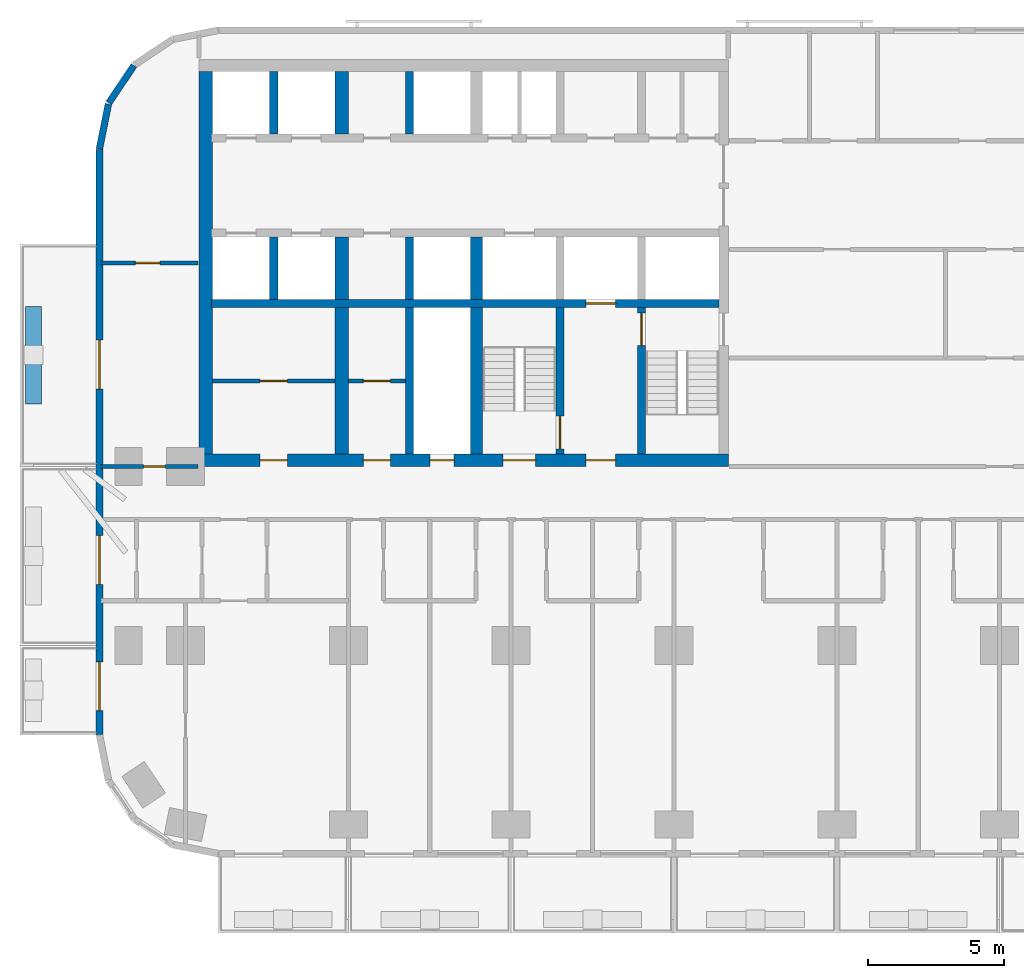
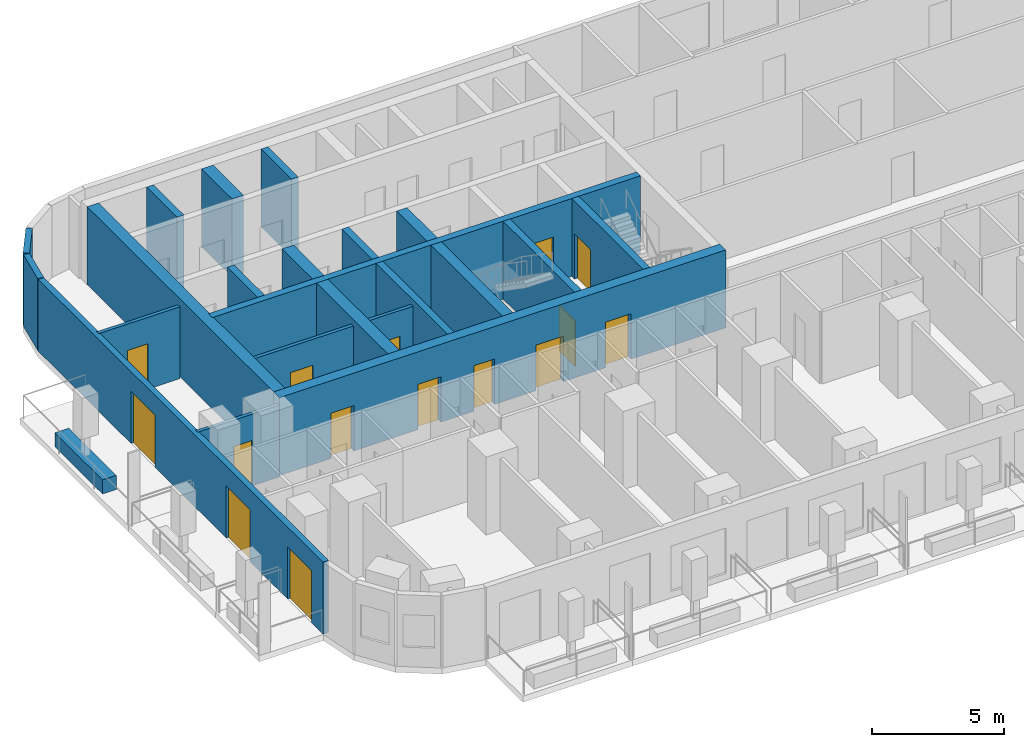
# One storey, part 3 of 15: 23 walls, 15 doors, 15 openings.
"""IFC4 building model written with IfcOpenShell, lengths in metres."""

from ifc_helpers import new_model, si_unit, direction, frame, frame_2d, origin, place, context, subcontext, project, spatial, rectangle, extrude, material, layer, layer_set, type_object, element, fill, save


model = new_model("IFC4")

# Units and contexts
model_context = context("Model", 3, precision=1e-05, world=origin(), true_north=direction((0.0, 1.0)))
body_context = subcontext(model_context, "Body", "Model", "MODEL_VIEW")
ifc_project = project(units=[si_unit("LENGTHUNIT", "METRE"), si_unit("AREAUNIT", "SQUARE_METRE"), si_unit("VOLUMEUNIT", "CUBIC_METRE"), si_unit("PLANEANGLEUNIT", "RADIAN"), si_unit("MASSUNIT", "GRAM", prefix="KILO")], contexts=[model_context])

# Site, building, storey
site_placement = place(None, origin())
site = spatial("IfcSite", under=ifc_project, at=site_placement, CompositionType="ELEMENT")
building_placement = place(site_placement, origin())
building = spatial("IfcBuilding", under=site, at=building_placement, Name="Torana Hotel and Residences", CompositionType="ELEMENT")
storey_placement = place(building_placement, frame((0.0, 0.0, 24.0)))
storey = spatial("IfcBuildingStorey", under=building, at=storey_placement, Name="L04", CompositionType="ELEMENT", Elevation=24.0)

# Wall, opening, door
ifc_material_1 = material(Name="Concrete C80/95", Category="concrete")
ifc_layer_1 = layer(ifc_material_1, 0.300048828125)
ifc_layer_set_1 = layer_set([ifc_layer_1], Name="CORE WALL 300 C80/95")
wall_type_1 = type_object("IfcWallType", Name="CORE WALL 300 C80/95", PredefinedType="SHEAR", material=ifc_layer_set_1)
wall_1_placement = place(storey_placement, frame((-29.050048828125, -9.0, 0.0), z_axis=(0.0, 0.0, 1.0), x_axis=(1.0, 0.0, 0.0)))
wall_1 = element("IfcWall", 1, at=wall_1_placement, inside=storey, type_object=wall_type_1, Name="Core wall W band", PredefinedType="SHEAR", context=body_context, shape_type="SweptSolid", body=[
    extrude(rectangle(XDim=18.699951171875, YDim=0.300048828125, at=frame_2d((9.35009765625, 0.0))), origin(), (0.0, 0.0, 1.0), 3.60009765625),
])
opening_1_placement = place(wall_1_placement, frame((13.800048828125, 0.0, 0.0)))
opening_1 = element("IfcOpeningElement", 2, at=opening_1_placement, cuts=wall_1, Name="Opening LD", PredefinedType="OPENING", context=body_context, shape_type="SweptSolid", body=[
    extrude(rectangle(XDim=1.10009765625, YDim=2.10009765625, at=frame_2d((0.550048828125, 1.050048828125))), frame((0.0, 0.159912109375, 0.0), z_axis=(0.0, -1.0, 0.0), x_axis=(1.0, 0.0, 0.0)), (0.0, 0.0, 1.0), 0.320068359375),
])
ifc_material_2 = material(Name="Stainless steel 316", Category="steel")
door_type_1 = type_object("IfcDoorType", Name="LIFT LANDING DOOR LD 1100x2100", OperationType="DOUBLE_DOOR_SLIDING", PredefinedType="USERDEFINED", material=ifc_material_2)
door_1_placement = place(opening_1_placement, origin())
door_1 = element("IfcDoor", 3, at=door_1_placement, inside=storey, type_object=door_type_1, Name="Lift landing door FF1 L04", ObjectType="LIFT LANDING DOOR", OperationType="DOUBLE_DOOR_SLIDING", OverallHeight=2.10009765625, OverallWidth=1.10009765625, PredefinedType="USERDEFINED", context=body_context, shape_type="SweptSolid", body=[
    extrude(rectangle(XDim=1.10009765625, YDim=2.10009765625, at=frame_2d((0.550048828125, 1.050048828125))), frame((0.0, 0.02490234375, 0.0), z_axis=(0.0, -1.0, 0.0), x_axis=(1.0, 0.0, 0.0)), (0.0, 0.0, 1.0), 0.050048828125),
])
fill(opening_1, door_1)

wall_2_placement = place(storey_placement, frame((-13.199951171875, -14.550048828125, 0.0), z_axis=(0.0, 0.0, 1.0), x_axis=(0.0, 1.0, 0.0)))
wall_2 = element("IfcWall", 4, at=wall_2_placement, inside=storey, type_object=wall_type_1, Name="Core wall W x3.05-band", PredefinedType="SHEAR", context=body_context, shape_type="SweptSolid", body=[
    extrude(rectangle(XDim=5.400146484375, YDim=0.300048828125, at=frame_2d((2.7001953125, 0.0))), origin(), (0.0, 0.0, 1.0), 3.60009765625),
])
opening_2_placement = place(wall_2_placement, frame((4.0, 0.0, 0.0)))
opening_2 = element("IfcOpeningElement", 5, at=opening_2_placement, cuts=wall_2, Name="Opening L04-16", PredefinedType="OPENING", context=body_context, shape_type="SweptSolid", body=[
    extrude(rectangle(XDim=1.199951171875, YDim=2.10009765625, at=frame_2d((0.60009765625, 1.050048828125))), frame((0.0, 0.159912109375, 0.0), z_axis=(0.0, -1.0, 0.0), x_axis=(1.0, 0.0, 0.0)), (0.0, 0.0, 1.0), 0.320068359375),
])
ifc_material_3 = material(Name="Steel S235", Category="steel")
door_type_2 = type_object("IfcDoorType", Name="STAIR FIRE DOOR D3 1200x2100", OperationType="SINGLE_SWING_LEFT", PredefinedType="DOOR", material=ifc_material_3)
door_2_placement = place(opening_2_placement, frame((0.60009765625, 0.0, 0.0), z_axis=(0.0, 0.0, 1.0), x_axis=(-1.0, 0.0, 0.0)))
door_2 = element("IfcDoor", 6, at=door_2_placement, inside=storey, type_object=door_type_2, Name="Stair-A-lobby door L04", OperationType="SINGLE_SWING_RIGHT", OverallHeight=2.10009765625, OverallWidth=1.199951171875, PredefinedType="DOOR", context=body_context, shape_type="SweptSolid", body=[
    extrude(rectangle(XDim=1.199951171875, YDim=2.10009765625, at=frame_2d((0.0, 1.050048828125))), frame((0.0, -0.02490234375, 0.0), z_axis=(0.0, 1.0, 0.0), x_axis=(-1.0, 0.0, 0.0)), (0.0, 0.0, 1.0), 0.050048828125),
])
fill(opening_2, door_2)

wall_3_placement = place(storey_placement, frame((-16.199951171875, -14.550048828125, 0.0), z_axis=(0.0, 0.0, 1.0), x_axis=(0.0, 1.0, 0.0)))
wall_3 = element("IfcWall", 7, at=wall_3_placement, inside=storey, type_object=wall_type_1, Name="Core wall W x6.05-band", PredefinedType="SHEAR", context=body_context, shape_type="SweptSolid", body=[
    extrude(rectangle(XDim=5.400146484375, YDim=0.300048828125, at=frame_2d((2.7001953125, 0.0))), origin(), (0.0, 0.0, 1.0), 3.60009765625),
])
opening_3_placement = place(wall_3_placement, frame((0.199951171875, 0.0, 0.0)))
opening_3 = element("IfcOpeningElement", 8, at=opening_3_placement, cuts=wall_3, Name="Opening L04-17", PredefinedType="OPENING", context=body_context, shape_type="SweptSolid", body=[
    extrude(rectangle(XDim=1.199951171875, YDim=2.10009765625, at=frame_2d((0.60009765625, 1.050048828125))), frame((0.0, 0.159912109375, 0.0), z_axis=(0.0, -1.0, 0.0), x_axis=(1.0, 0.0, 0.0)), (0.0, 0.0, 1.0), 0.320068359375),
])
door_3_placement = place(opening_3_placement, origin())
door_3 = element("IfcDoor", 9, at=door_3_placement, inside=storey, type_object=door_type_2, Name="Stair-B-lobby door L04", OperationType="SINGLE_SWING_RIGHT", OverallHeight=2.10009765625, OverallWidth=1.199951171875, PredefinedType="DOOR", context=body_context, shape_type="SweptSolid", body=[
    extrude(rectangle(XDim=1.199951171875, YDim=2.10009765625, at=frame_2d((0.60009765625, 1.050048828125))), frame((0.0, 0.02490234375, 0.0), z_axis=(0.0, -1.0, 0.0), x_axis=(1.0, 0.0, 0.0)), (0.0, 0.0, 1.0), 0.050048828125),
])
fill(opening_3, door_3)

# Walls
for number, where, z_axis, x_axis, name in (
    (10, (-21.75, -2.75, 0.0), (0.0, 0.0, 1.0), (0.0, 1.0, 0.0), "Core wall W mm-N"),
    (11, (-21.75, -8.85009765625, 0.0), (0.0, 0.0, 1.0), (0.0, 1.0, 0.0), "Core wall W mm-S"),
):
    element("IfcWall", number, at=place(storey_placement, frame(where, z_axis=z_axis, x_axis=x_axis)), inside=storey, type_object=wall_type_1, Name=name, PredefinedType="SHEAR", context=body_context, shape_type="SweptSolid", body=[
        extrude(rectangle(XDim=2.300048828125, YDim=0.300048828125, at=frame_2d((1.14990234375, 0.0))), origin(), (0.0, 0.0, 1.0), 3.60009765625),
    ])
wall_4_placement = place(storey_placement, frame((-21.75, -14.550048828125, 0.0), z_axis=(0.0, 0.0, 1.0), x_axis=(0.0, 1.0, 0.0)))
element("IfcWall", 12, at=wall_4_placement, inside=storey, type_object=wall_type_1, Name="Core wall W mm-band", PredefinedType="SHEAR", context=body_context, shape_type="SweptSolid", body=[
    extrude(rectangle(XDim=5.400146484375, YDim=0.300048828125, at=frame_2d((2.7001953125, 0.0))), origin(), (0.0, 0.0, 1.0), 3.60009765625),
])
for number, where, z_axis, x_axis, name in (
    (13, (-26.75, -2.75, 0.0), (0.0, 0.0, 1.0), (0.0, 1.0, 0.0), "Core wall W ll-N"),
    (14, (-26.75, -8.85009765625, 0.0), (0.0, 0.0, 1.0), (0.0, 1.0, 0.0), "Core wall W ll-S"),
):
    element("IfcWall", number, at=place(storey_placement, frame(where, z_axis=z_axis, x_axis=x_axis)), inside=storey, type_object=wall_type_1, Name=name, PredefinedType="SHEAR", context=body_context, shape_type="SweptSolid", body=[
        extrude(rectangle(XDim=2.300048828125, YDim=0.300048828125, at=frame_2d((1.14990234375, 0.0))), origin(), (0.0, 0.0, 1.0), 3.60009765625),
    ])

# Wall, openings, doors
ifc_material_4 = material(Name="Concrete C80/95", Category="concrete")
ifc_layer_2 = layer(ifc_material_4, 0.449951171875)
ifc_layer_set_2 = layer_set([ifc_layer_2], Name="CORE WALL 450 C80/95")
wall_type_2 = type_object("IfcWallType", Name="CORE WALL 450 C80/95", PredefinedType="SHEAR", material=ifc_layer_set_2)
wall_5_placement = place(storey_placement, frame((-29.5, -14.77490234375, 0.0), z_axis=(0.0, 0.0, 1.0), x_axis=(1.0, 0.0, 0.0)))
wall_5 = element("IfcWall", 15, at=wall_5_placement, inside=storey, type_object=wall_type_2, Name="Core wall W front", PredefinedType="SHEAR", context=body_context, shape_type="SweptSolid", body=[
    extrude(rectangle(XDim=19.5, YDim=0.449951171875, at=frame_2d((9.75, 0.0))), origin(), (0.0, 0.0, 1.0), 3.60009765625),
])
opening_4_placement = place(wall_5_placement, frame((11.199951171875, 0.0, 0.0)))
opening_4 = element("IfcOpeningElement", 16, at=opening_4_placement, cuts=wall_5, Name="Opening L04-04", PredefinedType="OPENING", context=body_context, shape_type="SweptSolid", body=[
    extrude(rectangle(XDim=1.199951171875, YDim=2.10009765625, at=frame_2d((0.60009765625, 1.050048828125))), frame((0.0, 0.23486328125, 0.0), z_axis=(0.0, -1.0, 0.0), x_axis=(1.0, 0.0, 0.0)), (0.0, 0.0, 1.0), 0.469970703125),
])
opening_5_placement = place(wall_5_placement, frame((14.25, 0.0, 0.0)))
opening_5 = element("IfcOpeningElement", 17, at=opening_5_placement, cuts=wall_5, Name="Opening L04-05", PredefinedType="OPENING", context=body_context, shape_type="SweptSolid", body=[
    extrude(rectangle(XDim=1.10009765625, YDim=2.10009765625, at=frame_2d((0.550048828125, 1.050048828125))), frame((0.0, 0.23486328125, 0.0), z_axis=(0.0, -1.0, 0.0), x_axis=(1.0, 0.0, 0.0)), (0.0, 0.0, 1.0), 0.469970703125),
])
opening_6_placement = place(wall_5_placement, frame((8.5, 0.0, 0.0)))
opening_6 = element("IfcOpeningElement", 18, at=opening_6_placement, cuts=wall_5, Name="Opening L04-06", PredefinedType="OPENING", context=body_context, shape_type="SweptSolid", body=[
    extrude(rectangle(XDim=0.89990234375, YDim=2.10009765625, at=frame_2d((0.449951171875, 1.050048828125))), frame((0.0, 0.23486328125, 0.0), z_axis=(0.0, -1.0, 0.0), x_axis=(1.0, 0.0, 0.0)), (0.0, 0.0, 1.0), 0.469970703125),
])
opening_7_placement = place(wall_5_placement, frame((6.050048828125, 0.0, 0.0)))
opening_7 = element("IfcOpeningElement", 19, at=opening_7_placement, cuts=wall_5, Name="Opening L04-07", PredefinedType="OPENING", context=body_context, shape_type="SweptSolid", body=[
    extrude(rectangle(XDim=1.0, YDim=2.10009765625, at=frame_2d((0.5, 1.050048828125))), frame((0.0, 0.23486328125, 0.0), z_axis=(0.0, -1.0, 0.0), x_axis=(1.0, 0.0, 0.0)), (0.0, 0.0, 1.0), 0.469970703125),
])
opening_8_placement = place(wall_5_placement, frame((2.25, 0.0, 0.0)))
opening_8 = element("IfcOpeningElement", 20, at=opening_8_placement, cuts=wall_5, Name="Opening L04-08", PredefinedType="OPENING", context=body_context, shape_type="SweptSolid", body=[
    extrude(rectangle(XDim=1.0, YDim=2.10009765625, at=frame_2d((0.5, 1.050048828125))), frame((0.0, 0.23486328125, 0.0), z_axis=(0.0, -1.0, 0.0), x_axis=(1.0, 0.0, 0.0)), (0.0, 0.0, 1.0), 0.469970703125),
])
ifc_material_5 = material(Name="Steel S235", Category="steel")
door_type_3 = type_object("IfcDoorType", Name="CORE ROOM FIRE DOOR D14 1000x2100", OperationType="SINGLE_SWING_LEFT", PredefinedType="DOOR", material=ifc_material_5)
door_4_placement = place(opening_7_placement, origin())
door_4 = element("IfcDoor", 21, at=door_4_placement, inside=storey, type_object=door_type_3, Name="M-Room-B door L04", OperationType="SINGLE_SWING_RIGHT", OverallHeight=2.10009765625, OverallWidth=1.0, PredefinedType="DOOR", context=body_context, shape_type="SweptSolid", body=[
    extrude(rectangle(XDim=1.0, YDim=2.10009765625, at=frame_2d((0.5, 1.050048828125))), frame((0.0, 0.02490234375, 0.0), z_axis=(0.0, -1.0, 0.0), x_axis=(1.0, 0.0, 0.0)), (0.0, 0.0, 1.0), 0.050048828125),
])
fill(opening_7, door_4)
door_5_placement = place(opening_8_placement, origin())
door_5 = element("IfcDoor", 22, at=door_5_placement, inside=storey, type_object=door_type_3, Name="L-B door L04", OperationType="SINGLE_SWING_RIGHT", OverallHeight=2.10009765625, OverallWidth=1.0, PredefinedType="DOOR", context=body_context, shape_type="SweptSolid", body=[
    extrude(rectangle(XDim=1.0, YDim=2.10009765625, at=frame_2d((0.5, 1.050048828125))), frame((0.0, 0.02490234375, 0.0), z_axis=(0.0, -1.0, 0.0), x_axis=(1.0, 0.0, 0.0)), (0.0, 0.0, 1.0), 0.050048828125),
])
fill(opening_8, door_5)
ifc_material_6 = material(Name="Steel S235", Category="steel")
door_type_4 = type_object("IfcDoorType", Name="FIRE-FIGHTING LOBBY DOOR D8 1100x2100", OperationType="SINGLE_SWING_LEFT", PredefinedType="DOOR", material=ifc_material_6)
door_6_placement = place(opening_5_placement, origin())
door_6 = element("IfcDoor", 23, at=door_6_placement, inside=storey, type_object=door_type_4, Name="FF-lobby door L04", OperationType="SINGLE_SWING_RIGHT", OverallHeight=2.10009765625, OverallWidth=1.10009765625, PredefinedType="DOOR", context=body_context, shape_type="SweptSolid", body=[
    extrude(rectangle(XDim=1.10009765625, YDim=2.10009765625, at=frame_2d((0.550048828125, 1.050048828125))), frame((0.0, 0.02490234375, 0.0), z_axis=(0.0, -1.0, 0.0), x_axis=(1.0, 0.0, 0.0)), (0.0, 0.0, 1.0), 0.050048828125),
])
fill(opening_5, door_6)
ifc_material_7 = material(Name="Steel S235", Category="steel")
door_type_5 = type_object("IfcDoorType", Name="RISER ACCESS DOOR D5 900x2100", OperationType="SINGLE_SWING_LEFT", PredefinedType="DOOR", material=ifc_material_7)
door_7_placement = place(opening_6_placement, origin())
door_7 = element("IfcDoor", 24, at=door_7_placement, inside=storey, type_object=door_type_5, Name="M-Riser door L04", OperationType="SINGLE_SWING_RIGHT", OverallHeight=2.10009765625, OverallWidth=0.89990234375, PredefinedType="DOOR", context=body_context, shape_type="SweptSolid", body=[
    extrude(rectangle(XDim=0.89990234375, YDim=2.10009765625, at=frame_2d((0.449951171875, 1.050048828125))), frame((0.0, 0.02490234375, 0.0), z_axis=(0.0, -1.0, 0.0), x_axis=(1.0, 0.0, 0.0)), (0.0, 0.0, 1.0), 0.050048828125),
])
fill(opening_6, door_7)
door_8_placement = place(opening_4_placement, origin())
door_8 = element("IfcDoor", 25, at=door_8_placement, inside=storey, type_object=door_type_2, Name="Stair-B door L04", OperationType="SINGLE_SWING_RIGHT", OverallHeight=2.10009765625, OverallWidth=1.199951171875, PredefinedType="DOOR", context=body_context, shape_type="SweptSolid", body=[
    extrude(rectangle(XDim=1.199951171875, YDim=2.10009765625, at=frame_2d((0.60009765625, 1.050048828125))), frame((0.0, 0.02490234375, 0.0), z_axis=(0.0, -1.0, 0.0), x_axis=(1.0, 0.0, 0.0)), (0.0, 0.0, 1.0), 0.050048828125),
])
fill(opening_4, door_8)

# Walls
wall_6_placement = place(storey_placement, frame((-19.27490234375, -8.85009765625, 0.0), z_axis=(0.0, 0.0, 1.0), x_axis=(0.0, 1.0, 0.0)))
element("IfcWall", 26, at=wall_6_placement, inside=storey, type_object=wall_type_2, Name="Core wall W hm-S", PredefinedType="SHEAR", context=body_context, shape_type="SweptSolid", body=[
    extrude(rectangle(XDim=2.300048828125, YDim=0.449951171875, at=frame_2d((1.14990234375, 0.0))), origin(), (0.0, 0.0, 1.0), 3.60009765625),
])
wall_7_placement = place(storey_placement, frame((-19.27490234375, -14.550048828125, 0.0), z_axis=(0.0, 0.0, 1.0), x_axis=(0.0, 1.0, 0.0)))
element("IfcWall", 27, at=wall_7_placement, inside=storey, type_object=wall_type_2, Name="Core wall W hm-band", PredefinedType="SHEAR", context=body_context, shape_type="SweptSolid", body=[
    extrude(rectangle(XDim=5.400146484375, YDim=0.449951171875, at=frame_2d((2.7001953125, 0.0))), origin(), (0.0, 0.0, 1.0), 3.60009765625),
])
ifc_material_8 = material(Name="Concrete C80/95", Category="concrete")
ifc_layer_3 = layer(ifc_material_8, 0.5)
ifc_layer_set_3 = layer_set([ifc_layer_3], Name="CORE WALL 500 C80/95")
wall_type_3 = type_object("IfcWallType", Name="CORE WALL 500 C80/95", PredefinedType="SHEAR", material=ifc_layer_set_3)
wall_8_placement = place(storey_placement, frame((-29.25, -14.550048828125, 0.0), z_axis=(0.0, 0.0, 1.0), x_axis=(0.0, 1.0, 0.0)))
element("IfcWall", 28, at=wall_8_placement, inside=storey, type_object=wall_type_3, Name="Core wall W outer", PredefinedType="SHEAR", context=body_context, shape_type="SweptSolid", body=[
    extrude(rectangle(XDim=14.10009765625, YDim=0.5, at=frame_2d((7.050048828125, 0.0))), origin(), (0.0, 0.0, 1.0), 3.60009765625),
])
for number, where, z_axis, x_axis, name in (
    (29, (-24.25, -2.75, 0.0), (0.0, 0.0, 1.0), (0.0, 1.0, 0.0), "Core wall W ml-N"),
    (30, (-24.25, -8.85009765625, 0.0), (0.0, 0.0, 1.0), (0.0, 1.0, 0.0), "Core wall W ml-S"),
):
    element("IfcWall", number, at=place(storey_placement, frame(where, z_axis=z_axis, x_axis=x_axis)), inside=storey, type_object=wall_type_3, Name=name, PredefinedType="SHEAR", context=body_context, shape_type="SweptSolid", body=[
        extrude(rectangle(XDim=2.300048828125, YDim=0.5, at=frame_2d((1.14990234375, 0.0))), origin(), (0.0, 0.0, 1.0), 3.60009765625),
    ])
wall_9_placement = place(storey_placement, frame((-24.25, -14.550048828125, 0.0), z_axis=(0.0, 0.0, 1.0), x_axis=(0.0, 1.0, 0.0)))
element("IfcWall", 31, at=wall_9_placement, inside=storey, type_object=wall_type_3, Name="Core wall W ml-band", PredefinedType="SHEAR", context=body_context, shape_type="SweptSolid", body=[
    extrude(rectangle(XDim=5.400146484375, YDim=0.5, at=frame_2d((2.7001953125, 0.0))), origin(), (0.0, 0.0, 1.0), 3.60009765625),
])
ifc_material_9 = material(Name="Black aluminium composite panel", Category="aluminium")
ifc_layer_4 = layer(ifc_material_9, 0.00390625, Name="Cladding", Category="cladding")
ifc_material_10 = material(Name="Ventilated air cavity")
ifc_layer_5 = layer(ifc_material_10, 0.0400390625, Name="Ventilated cavity", Category="cavity")
ifc_material_11 = material(Name="Mineral wool insulation")
ifc_layer_6 = layer(ifc_material_11, 0.090087890625, Name="Insulation", Category="insulation")
ifc_material_12 = material(Name="Steel S280GD", Category="steel")
ifc_layer_7 = layer(ifc_material_12, 0.092041015625, Name="Steel stud frame", Category="structure")
ifc_material_13 = material(Name="Fire rated plasterboard")
ifc_layer_8 = layer(ifc_material_13, 0.011962890625, Name="Inner board", Category="finish")
ifc_layer_9 = layer(ifc_material_13, 0.011962890625, Name="Second board", Category="finish")
ifc_layer_set_4 = layer_set([ifc_layer_4, ifc_layer_5, ifc_layer_6, ifc_layer_7, ifc_layer_8, ifc_layer_9], Name="EW1 EXTERNAL WALL BLACK METAL CLAD 250")
wall_type_4 = type_object("IfcWallType", Name="EW1 EXTERNAL WALL BLACK METAL CLAD 250", PredefinedType="SOLIDWALL", material=ifc_layer_set_4)
wall_10_placement = place(storey_placement, frame((-31.90576171875, -0.228759765625, 0.0), z_axis=(0.0, 0.0, 1.0), x_axis=(-0.55555029066, -0.831482937015, 0.0)))
element("IfcWall", 32, at=wall_10_placement, inside=storey, type_object=wall_type_4, Name="External wall L04 e0.7", PredefinedType="SOLIDWALL", context=body_context, shape_type="SweptSolid", body=[
    extrude(rectangle(XDim=1.65625, YDim=0.25, at=frame_2d((0.828125, 0.0))), origin(), (0.0, 0.0, 1.0), 3.320068359375),
])
wall_11_placement = place(storey_placement, frame((-32.844482421875, -1.651123046875, 0.0), z_axis=(0.0, 0.0, 1.0), x_axis=(-0.19513878023, -0.980775640221, 0.0)))
element("IfcWall", 33, at=wall_11_placement, inside=storey, type_object=wall_type_4, Name="External wall L04 e0.8", PredefinedType="SOLIDWALL", context=body_context, shape_type="SweptSolid", body=[
    extrude(rectangle(XDim=1.681396484375, YDim=0.25, at=frame_2d((0.8408203125, 0.0))), origin(), (0.0, 0.0, 1.0), 3.320068359375),
])

# Wall, openings, doors
wall_12_placement = place(storey_placement, frame((-33.175048828125, -3.32470703125, 0.0), z_axis=(0.0, 0.0, 1.0), x_axis=(0.0, -1.0, 0.0)))
wall_12 = element("IfcWall", 34, at=wall_12_placement, inside=storey, type_object=wall_type_4, Name="External wall L04 e0.9", PredefinedType="SOLIDWALL", context=body_context, shape_type="SweptSolid", body=[
    extrude(rectangle(XDim=21.55078125, YDim=0.25, at=frame_2d((10.775390625, 0.0))), origin(), (0.0, 0.0, 1.0), 3.320068359375),
])
opening_9_placement = place(wall_12_placement, frame((7.025390625, 0.0, 0.0)))
opening_9 = element("IfcOpeningElement", 35, at=opening_9_placement, cuts=wall_12, Name="Opening L04-E14", PredefinedType="OPENING", context=body_context, shape_type="SweptSolid", body=[
    extrude(rectangle(XDim=1.800048828125, YDim=2.39990234375, at=frame_2d((0.89990234375, 1.199951171875))), frame((0.0, 0.135009765625, 0.0), z_axis=(0.0, -1.0, 0.0), x_axis=(1.0, 0.0, 0.0)), (0.0, 0.0, 1.0), 0.27001953125),
])
opening_10_placement = place(wall_12_placement, frame((14.225341796875, 0.0, 0.0)))
opening_10 = element("IfcOpeningElement", 36, at=opening_10_placement, cuts=wall_12, Name="Opening L04-E15", PredefinedType="OPENING", context=body_context, shape_type="SweptSolid", body=[
    extrude(rectangle(XDim=1.800048828125, YDim=2.39990234375, at=frame_2d((0.89990234375, 1.199951171875))), frame((0.0, 0.135009765625, 0.0), z_axis=(0.0, -1.0, 0.0), x_axis=(1.0, 0.0, 0.0)), (0.0, 0.0, 1.0), 0.27001953125),
])
opening_11_placement = place(wall_12_placement, frame((18.87548828125, 0.0, 0.0)))
opening_11 = element("IfcOpeningElement", 37, at=opening_11_placement, cuts=wall_12, Name="Opening L04-E16", PredefinedType="OPENING", context=body_context, shape_type="SweptSolid", body=[
    extrude(rectangle(XDim=1.800048828125, YDim=2.39990234375, at=frame_2d((0.89990234375, 1.199951171875))), frame((0.0, 0.135009765625, 0.0), z_axis=(0.0, -1.0, 0.0), x_axis=(1.0, 0.0, 0.0)), (0.0, 0.0, 1.0), 0.27001953125),
])
ifc_material_14 = material(Name="Dark glass in black aluminium frame", Category="aluminium")
door_type_6 = type_object("IfcDoorType", Name="DB1 BALCONY DOOR 1800x2400", OperationType="DOUBLE_DOOR_SINGLE_SWING", PredefinedType="DOOR", material=ifc_material_14)
door_9_placement = place(opening_9_placement, origin())
door_9 = element("IfcDoor", 38, at=door_9_placement, inside=storey, type_object=door_type_6, Name="Balcony door L04", OperationType="DOUBLE_DOOR_SINGLE_SWING", OverallHeight=2.39990234375, OverallWidth=1.800048828125, PredefinedType="DOOR", context=body_context, shape_type="SweptSolid", body=[
    extrude(rectangle(XDim=1.800048828125, YDim=2.39990234375, at=frame_2d((0.89990234375, 1.199951171875))), frame((0.0, 0.02490234375, 0.0), z_axis=(0.0, -1.0, 0.0), x_axis=(1.0, 0.0, 0.0)), (0.0, 0.0, 1.0), 0.050048828125),
])
fill(opening_9, door_9)
door_10_placement = place(opening_10_placement, origin())
door_10 = element("IfcDoor", 39, at=door_10_placement, inside=storey, type_object=door_type_6, Name="Balcony door L04", OperationType="DOUBLE_DOOR_SINGLE_SWING", OverallHeight=2.39990234375, OverallWidth=1.800048828125, PredefinedType="DOOR", context=body_context, shape_type="SweptSolid", body=[
    extrude(rectangle(XDim=1.800048828125, YDim=2.39990234375, at=frame_2d((0.89990234375, 1.199951171875))), frame((0.0, 0.02490234375, 0.0), z_axis=(0.0, -1.0, 0.0), x_axis=(1.0, 0.0, 0.0)), (0.0, 0.0, 1.0), 0.050048828125),
])
fill(opening_10, door_10)
door_11_placement = place(opening_11_placement, frame((0.89990234375, 0.0, 0.0), z_axis=(0.0, 0.0, 1.0), x_axis=(-1.0, 0.0, 0.0)))
door_11 = element("IfcDoor", 40, at=door_11_placement, inside=storey, type_object=door_type_6, Name="Balcony door L04", OperationType="DOUBLE_DOOR_SINGLE_SWING", OverallHeight=2.39990234375, OverallWidth=1.800048828125, PredefinedType="DOOR", context=body_context, shape_type="SweptSolid", body=[
    extrude(rectangle(XDim=1.800048828125, YDim=2.39990234375, at=frame_2d((0.0, 1.199951171875))), frame((0.0, -0.02490234375, 0.0), z_axis=(0.0, 1.0, 0.0), x_axis=(-1.0, 0.0, 0.0)), (0.0, 0.0, 1.0), 0.050048828125),
])
fill(opening_11, door_11)

# Wall, opening, door
ifc_material_15 = material(Name="Gypsum plaster")
ifc_layer_10 = layer(ifc_material_15, 0.014892578125, Name="Plaster", Category="finish")
ifc_material_16 = material(Name="Concrete blockwork", Category="masonry")
ifc_layer_11 = layer(ifc_material_16, 0.1201171875, Name="Blockwork", Category="structure")
ifc_layer_12 = layer(ifc_material_15, 0.014892578125, Name="Plaster", Category="finish")
ifc_layer_set_5 = layer_set([ifc_layer_10, ifc_layer_11, ifc_layer_12], Name="FIRE PARTITION 150 BLOCKWORK")
wall_type_5 = type_object("IfcWallType", Name="FIRE PARTITION 150 BLOCKWORK", PredefinedType="PARTITIONING", material=ifc_layer_set_5)
wall_13_placement = place(storey_placement, frame((-24.0, -11.85009765625, 0.0), z_axis=(0.0, 0.0, 1.0), x_axis=(1.0, 0.0, 0.0)))
wall_13 = element("IfcWall", 41, at=wall_13_placement, inside=storey, type_object=wall_type_5, Name="Core partition L04", PredefinedType="PARTITIONING", context=body_context, shape_type="SweptSolid", body=[
    extrude(rectangle(XDim=2.10009765625, YDim=0.14990234375, at=frame_2d((1.050048828125, 0.0))), origin(), (0.0, 0.0, 1.0), 3.300048828125),
])
opening_12_placement = place(wall_13_placement, frame((0.550048828125, 0.0, 0.0)))
opening_12 = element("IfcOpeningElement", 42, at=opening_12_placement, cuts=wall_13, Name="Opening L04-35", PredefinedType="OPENING", context=body_context, shape_type="SweptSolid", body=[
    extrude(rectangle(XDim=1.0, YDim=2.10009765625, at=frame_2d((0.5, 1.050048828125))), frame((0.0, 0.0849609375, 0.0), z_axis=(0.0, -1.0, 0.0), x_axis=(1.0, 0.0, 0.0)), (0.0, 0.0, 1.0), 0.169921875),
])
door_12_placement = place(opening_12_placement, origin())
door_12 = element("IfcDoor", 43, at=door_12_placement, inside=storey, type_object=door_type_3, Name="Plant room door L04", OperationType="SINGLE_SWING_RIGHT", OverallHeight=2.10009765625, OverallWidth=1.0, PredefinedType="DOOR", context=body_context, shape_type="SweptSolid", body=[
    extrude(rectangle(XDim=1.0, YDim=2.10009765625, at=frame_2d((0.5, 1.050048828125))), frame((0.0, 0.02490234375, 0.0), z_axis=(0.0, -1.0, 0.0), x_axis=(1.0, 0.0, 0.0)), (0.0, 0.0, 1.0), 0.050048828125),
])
fill(opening_12, door_12)

wall_14_placement = place(storey_placement, frame((-29.0, -11.85009765625, 0.0), z_axis=(0.0, 0.0, 1.0), x_axis=(1.0, 0.0, 0.0)))
wall_14 = element("IfcWall", 44, at=wall_14_placement, inside=storey, type_object=wall_type_5, Name="Core partition L04", PredefinedType="PARTITIONING", context=body_context, shape_type="SweptSolid", body=[
    extrude(rectangle(XDim=4.5, YDim=0.14990234375, at=frame_2d((2.25, 0.0))), origin(), (0.0, 0.0, 1.0), 3.300048828125),
])
opening_13_placement = place(wall_14_placement, frame((1.75, 0.0, 0.0)))
opening_13 = element("IfcOpeningElement", 45, at=opening_13_placement, cuts=wall_14, Name="Opening L04-36", PredefinedType="OPENING", context=body_context, shape_type="SweptSolid", body=[
    extrude(rectangle(XDim=1.0, YDim=2.10009765625, at=frame_2d((0.5, 1.050048828125))), frame((0.0, 0.0849609375, 0.0), z_axis=(0.0, -1.0, 0.0), x_axis=(1.0, 0.0, 0.0)), (0.0, 0.0, 1.0), 0.169921875),
])
door_13_placement = place(opening_13_placement, origin())
door_13 = element("IfcDoor", 46, at=door_13_placement, inside=storey, type_object=door_type_3, Name="Plant room door L04", OperationType="SINGLE_SWING_RIGHT", OverallHeight=2.10009765625, OverallWidth=1.0, PredefinedType="DOOR", context=body_context, shape_type="SweptSolid", body=[
    extrude(rectangle(XDim=1.0, YDim=2.10009765625, at=frame_2d((0.5, 1.050048828125))), frame((0.0, 0.02490234375, 0.0), z_axis=(0.0, -1.0, 0.0), x_axis=(1.0, 0.0, 0.0)), (0.0, 0.0, 1.0), 0.050048828125),
])
fill(opening_13, door_13)

wall_15_placement = place(storey_placement, frame((-33.1201171875, -15.0, 0.0), z_axis=(0.0, 0.0, 1.0), x_axis=(1.0, 0.0, 0.0)))
wall_15 = element("IfcWall", 47, at=wall_15_placement, inside=storey, type_object=wall_type_5, Name="Partition L04", PredefinedType="PARTITIONING", context=body_context, shape_type="SweptSolid", body=[
    extrude(rectangle(XDim=3.570068359375, YDim=0.14990234375, at=frame_2d((1.78515625, 0.0))), origin(), (0.0, 0.0, 1.0), 3.320068359375),
])
opening_14_placement = place(wall_15_placement, frame((1.580078125, 0.0, 0.0)))
opening_14 = element("IfcOpeningElement", 48, at=opening_14_placement, cuts=wall_15, Name="Opening L04-57", PredefinedType="OPENING", context=body_context, shape_type="SweptSolid", body=[
    extrude(rectangle(XDim=0.800048828125, YDim=2.10009765625, at=frame_2d((0.39990234375, 1.050048828125))), frame((0.0, 0.0849609375, 0.0), z_axis=(0.0, -1.0, 0.0), x_axis=(1.0, 0.0, 0.0)), (0.0, 0.0, 1.0), 0.169921875),
])
ifc_material_17 = material(Name="Steel S235", Category="steel")
door_type_7 = type_object("IfcDoorType", Name="STORE FIRE DOOR D16 800x2100", OperationType="SINGLE_SWING_LEFT", PredefinedType="DOOR", material=ifc_material_17)
door_14_placement = place(opening_14_placement, origin())
door_14 = element("IfcDoor", 49, at=door_14_placement, inside=storey, type_object=door_type_7, Name="Door L04", OperationType="SINGLE_SWING_RIGHT", OverallHeight=2.10009765625, OverallWidth=0.800048828125, PredefinedType="DOOR", context=body_context, shape_type="SweptSolid", body=[
    extrude(rectangle(XDim=0.800048828125, YDim=2.10009765625, at=frame_2d((0.39990234375, 1.050048828125))), frame((0.0, 0.02490234375, 0.0), z_axis=(0.0, -1.0, 0.0), x_axis=(1.0, 0.0, 0.0)), (0.0, 0.0, 1.0), 0.050048828125),
])
fill(opening_14, door_14)

ifc_material_18 = material(Name="Gypsum plasterboard")
ifc_layer_13 = layer(ifc_material_18, 0.012451171875, Name="Plasterboard", Category="finish")
ifc_layer_14 = layer(ifc_material_18, 0.012451171875, Name="Plasterboard", Category="finish")
ifc_layer_15 = layer(ifc_material_12, 0.10009765625, Name="Steel studs with mineral wool", Category="insulation")
ifc_layer_16 = layer(ifc_material_18, 0.012451171875, Name="Plasterboard", Category="finish")
ifc_layer_17 = layer(ifc_material_18, 0.012451171875, Name="Plasterboard", Category="finish")
ifc_layer_set_6 = layer_set([ifc_layer_13, ifc_layer_14, ifc_layer_15, ifc_layer_16, ifc_layer_17], Name="PARTITION 150 PLASTERBOARD")
wall_type_6 = type_object("IfcWallType", Name="PARTITION 150 PLASTERBOARD", PredefinedType="PARTITIONING", material=ifc_layer_set_6)
wall_16_placement = place(storey_placement, frame((-33.1201171875, -7.5, 0.0), z_axis=(0.0, 0.0, 1.0), x_axis=(1.0, 0.0, 0.0)))
wall_16 = element("IfcWall", 50, at=wall_16_placement, inside=storey, type_object=wall_type_6, Name="Partition L04", PredefinedType="PARTITIONING", context=body_context, shape_type="SweptSolid", body=[
    extrude(rectangle(XDim=3.570068359375, YDim=0.14990234375, at=frame_2d((1.78515625, 0.0))), origin(), (0.0, 0.0, 1.0), 3.320068359375),
])
opening_15_placement = place(wall_16_placement, frame((1.27001953125, 0.0, 0.0)))
opening_15 = element("IfcOpeningElement", 51, at=opening_15_placement, cuts=wall_16, Name="Opening L04-92", PredefinedType="OPENING", context=body_context, shape_type="SweptSolid", body=[
    extrude(rectangle(XDim=0.89990234375, YDim=2.10009765625, at=frame_2d((0.449951171875, 1.050048828125))), frame((0.0, 0.0849609375, 0.0), z_axis=(0.0, -1.0, 0.0), x_axis=(1.0, 0.0, 0.0)), (0.0, 0.0, 1.0), 0.169921875),
])
ifc_material_19 = material(Name="Timber door, oiled ash", Category="wood")
door_type_8 = type_object("IfcDoorType", Name="ROOM DOOR D7 900x2100", OperationType="SINGLE_SWING_LEFT", PredefinedType="DOOR", material=ifc_material_19)
door_15_placement = place(opening_15_placement, origin())
door_15 = element("IfcDoor", 52, at=door_15_placement, inside=storey, type_object=door_type_8, Name="Door L04", OperationType="SINGLE_SWING_RIGHT", OverallHeight=2.10009765625, OverallWidth=0.89990234375, PredefinedType="DOOR", context=body_context, shape_type="SweptSolid", body=[
    extrude(rectangle(XDim=0.89990234375, YDim=2.10009765625, at=frame_2d((0.449951171875, 1.050048828125))), frame((0.0, 0.02490234375, 0.0), z_axis=(0.0, -1.0, 0.0), x_axis=(1.0, 0.0, 0.0)), (0.0, 0.0, 1.0), 0.050048828125),
])
fill(opening_15, door_15)

# Wall
ifc_material_20 = material(Name="Concrete C40/50 precast", Category="concrete")
ifc_layer_18 = layer(ifc_material_20, 0.10009765625, Name="Planter shell", Category="structure")
ifc_material_21 = material(Name="Root resistant membrane")
ifc_layer_19 = layer(ifc_material_21, 0.00390625, Name="Waterproofing membrane", Category="membrane")
ifc_material_22 = material(Name="Drainage board with filter fleece")
ifc_layer_20 = layer(ifc_material_22, 0.02001953125, Name="Drainage board", Category="drainage")
ifc_material_23 = material(Name="Growing medium")
ifc_layer_21 = layer(ifc_material_23, 0.47607421875, Name="Planting substrate", Category="soil")
ifc_layer_set_7 = layer_set([ifc_layer_18, ifc_layer_19, ifc_layer_20, ifc_layer_21], Name="PL1 BALCONY PLANTER 600")
wall_type_7 = type_object("IfcWallType", Name="PL1 BALCONY PLANTER 600", PredefinedType="USERDEFINED", material=ifc_layer_set_7)
wall_17_placement = place(storey_placement, frame((-35.60009765625, -12.699951171875, 0.0), z_axis=(0.0, 0.0, 1.0), x_axis=(0.0, 1.0, 0.0)))
element("IfcWall", 53, at=wall_17_placement, inside=storey, type_object=wall_type_7, Name="Planter 13", ObjectType="PLANTER", PredefinedType="USERDEFINED", context=body_context, shape_type="SweptSolid", body=[
    extrude(rectangle(XDim=3.599853515625, YDim=0.60009765625, at=frame_2d((1.7998046875, 0.0))), origin(), (0.0, 0.0, 1.0), 0.64990234375),
])

save(model, "model.ifc")
